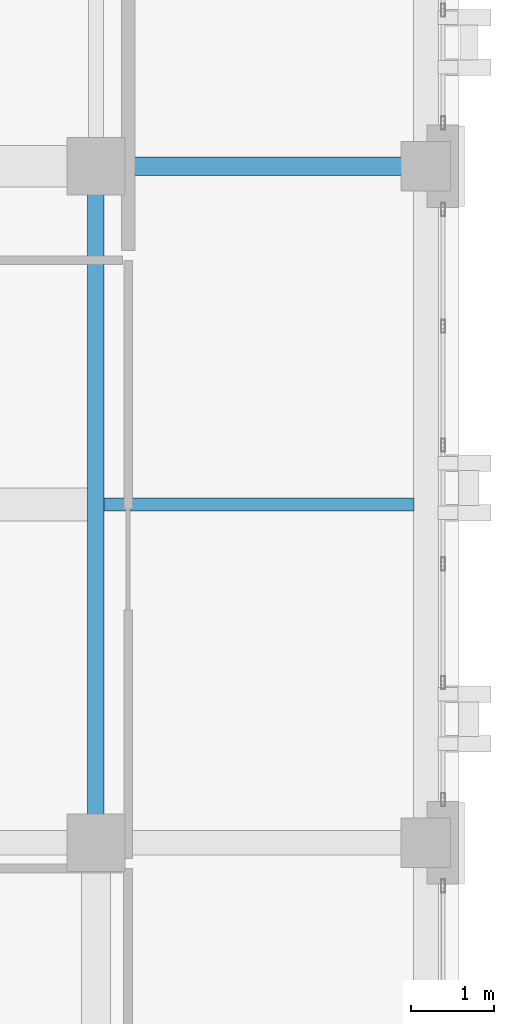
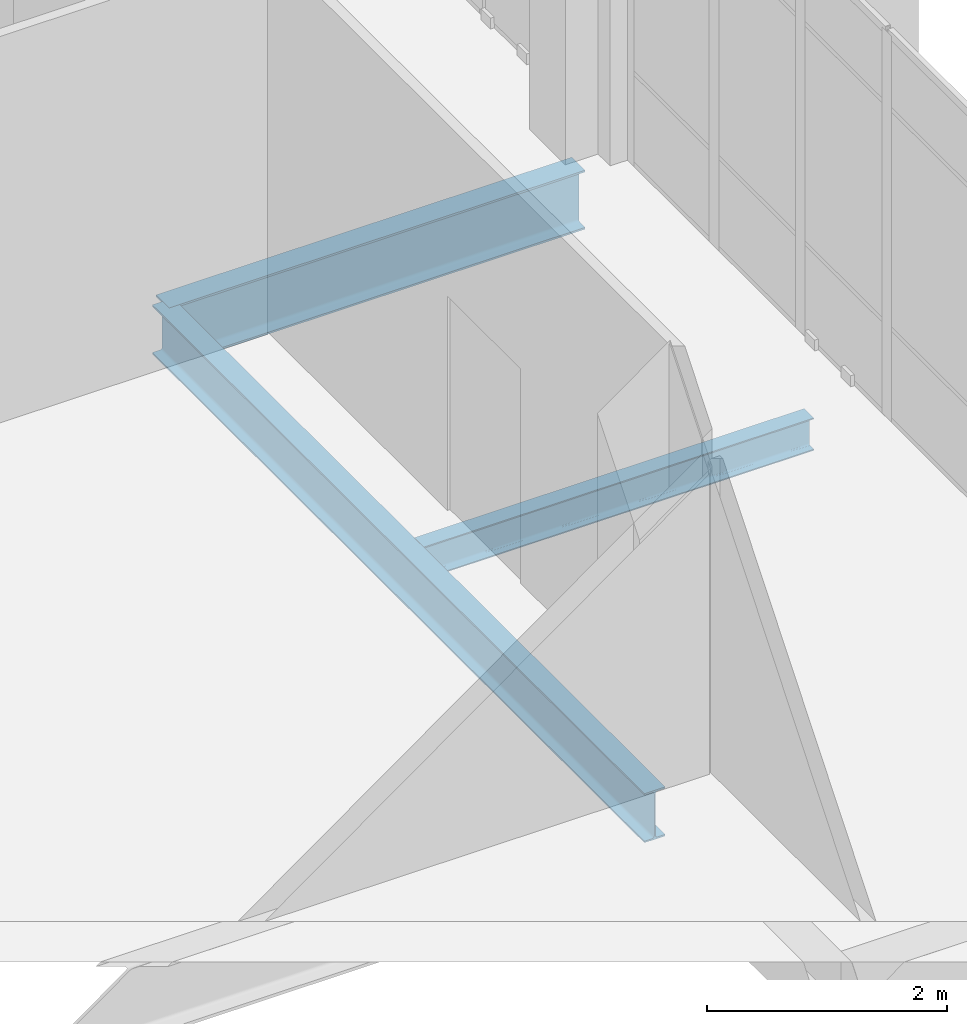
# One storey, part 33 of 90: 3 beams.
"""IFC4 building model written with IfcOpenShell, lengths in metres."""

from ifc_helpers import new_model, si_unit, direction, frame, origin, origin_2d, place, context, subcontext, project, spatial, i_section, extrude, material, material_profile, profile_set, type_object, element, save


model = new_model("IFC4")

# Units and contexts
model_context = context("Model", 3, precision=1e-05, world=origin(), true_north=direction((0.0, 1.0)))
body_context = subcontext(model_context, "Body", "Model", "MODEL_VIEW")
ifc_project = project(units=[si_unit("LENGTHUNIT", "METRE"), si_unit("AREAUNIT", "SQUARE_METRE"), si_unit("VOLUMEUNIT", "CUBIC_METRE"), si_unit("PLANEANGLEUNIT", "RADIAN"), si_unit("MASSUNIT", "GRAM", prefix="KILO")], contexts=[model_context])

# Site, building, storey
site_placement = place(None, origin())
site = spatial("IfcSite", under=ifc_project, at=site_placement, CompositionType="ELEMENT")
building_placement = place(site_placement, origin())
building = spatial("IfcBuilding", under=site, at=building_placement, Name="Qalavern Law Courts", CompositionType="ELEMENT")
storey_placement = place(building_placement, frame((0.0, 0.0, 22.800048828125)))
storey = spatial("IfcBuildingStorey", under=building, at=storey_placement, Name="L05", CompositionType="ELEMENT", Elevation=22.800048828125)

# Beams
ifc_material = material(Name="Steel S355", Category="steel")
ifc_material_profile_1 = material_profile(ifc_material, i_section(OverallWidth=0.199951171875, OverallDepth=0.5, WebThickness=0.01025390625, FlangeThickness=0.01611328125, FilletRadius=0.02099609375, at=origin_2d()), Name="IPE 500")
ifc_profile_set_1 = profile_set([ifc_material_profile_1], Name="Steel S355")
beam_type_1 = type_object("IfcBeamType", Name="STR-BM-IPE500", PredefinedType="BEAM", material=ifc_profile_set_1)
beam_1_placement = place(storey_placement, frame((14.39990234375, 79.39990234375, -0.525146484375), z_axis=(0.0, 1.0, 0.0), x_axis=(-1.0, 0.0, 0.0)))
element("IfcBeam", 1, at=beam_1_placement, inside=storey, type_object=beam_type_1, Name="V3 Y-beam 2-6 L05", PredefinedType="BEAM", context=body_context, shape_type="SweptSolid", body=[
    extrude(i_section(OverallWidth=0.199951171875, OverallDepth=0.5, WebThickness=0.01025390625, FlangeThickness=0.01611328125, FilletRadius=0.02099609375, at=origin_2d()), origin(), (0.0, 0.0, 1.0), 8.2001953125),
])
ifc_material_profile_2 = material_profile(ifc_material, i_section(OverallWidth=0.219970703125, OverallDepth=0.60009765625, WebThickness=0.011962890625, FlangeThickness=0.01904296875, FilletRadius=0.02392578125, at=origin_2d()), Name="IPE 600")
ifc_profile_set_2 = profile_set([ifc_material_profile_2], Name="Steel S355")
beam_type_2 = type_object("IfcBeamType", Name="STR-BM-IPE600", PredefinedType="BEAM", material=ifc_profile_set_2)
beam_2_placement = place(storey_placement, frame((14.39990234375, 87.60009765625, -0.574951171875), z_axis=(1.0, 0.0, 0.0), x_axis=(0.0, 1.0, 0.0)))
element("IfcBeam", 2, at=beam_2_placement, inside=storey, type_object=beam_type_2, Name="V3 X-beam 7-2 L05", PredefinedType="BEAM", context=body_context, shape_type="SweptSolid", body=[
    extrude(i_section(OverallWidth=0.219970703125, OverallDepth=0.60009765625, WebThickness=0.011962890625, FlangeThickness=0.01904296875, FilletRadius=0.02392578125, at=origin_2d()), origin(), (0.0, 0.0, 1.0), 4.0),
])
ifc_material_profile_3 = material_profile(ifc_material, i_section(OverallWidth=0.159912109375, OverallDepth=0.330078125, WebThickness=0.007568359375, FlangeThickness=0.011474609375, FilletRadius=0.01806640625, at=origin_2d()), Name="IPE 330")
ifc_profile_set_3 = profile_set([ifc_material_profile_3], Name="Steel S355")
beam_type_3 = type_object("IfcBeamType", Name="STR-JST-IPE330", PredefinedType="JOIST", material=ifc_profile_set_3)
beam_3_placement = place(storey_placement, frame((14.498046875, 83.5, -0.43994140625), z_axis=(1.0, 0.0, 0.0), x_axis=(0.0, 1.0, 0.0)))
element("IfcBeam", 3, at=beam_3_placement, inside=storey, type_object=beam_type_3, Name="V3 secondary joist 2.6.1 L05", PredefinedType="JOIST", context=body_context, shape_type="SweptSolid", body=[
    extrude(i_section(OverallWidth=0.159912109375, OverallDepth=0.330078125, WebThickness=0.007568359375, FlangeThickness=0.011474609375, FilletRadius=0.01806640625, at=origin_2d()), origin(), (0.0, 0.0, 1.0), 3.75390625),
])

save(model, "model.ifc")
